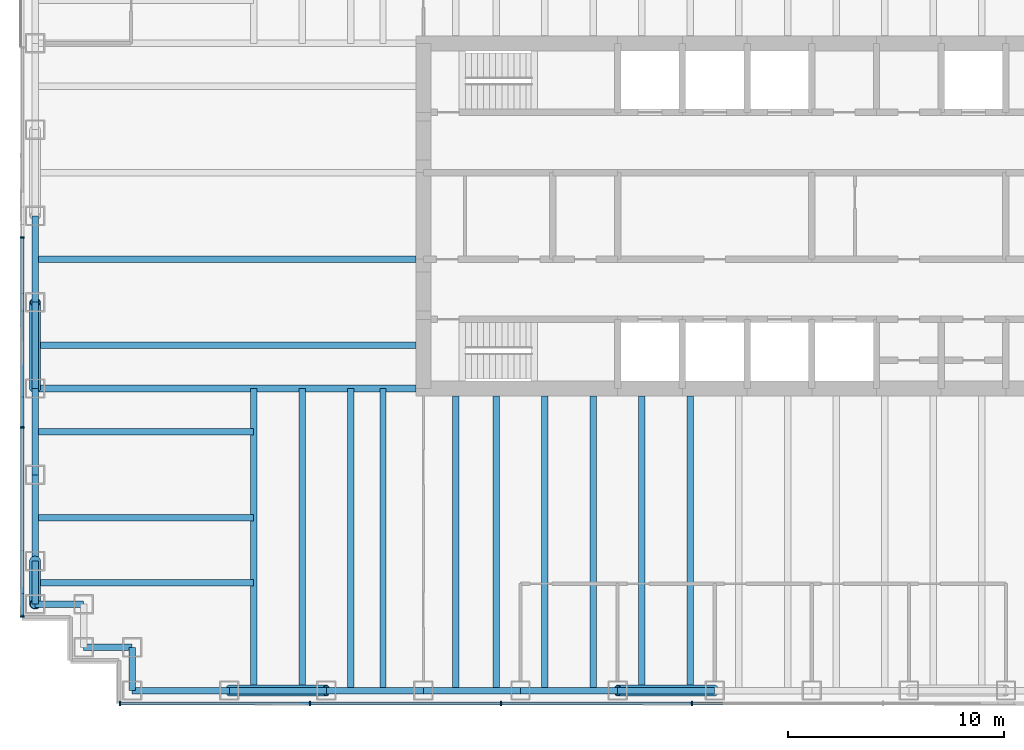
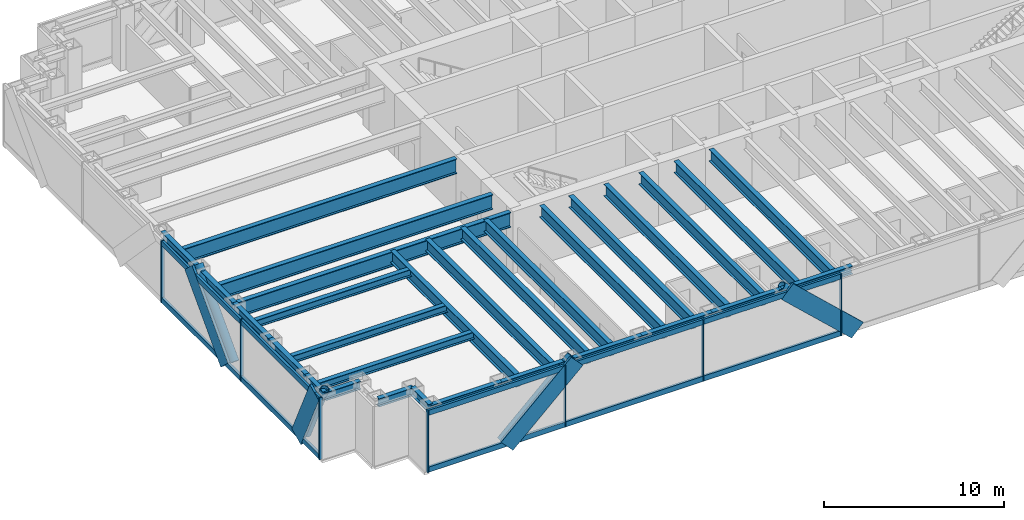
# One storey, part 2 of 15: 30 beams, 25 members, 2 elements without a shape of their own.
"""IFC4 building model written with IfcOpenShell, lengths in metres."""

from ifc_helpers import new_model, si_unit, direction, frame, origin, origin_2d, place, context, subcontext, project, spatial, rectangle, hollow_circle, i_section, extrude, material, material_profile, profile_set, type_object, element, aggregate, save


model = new_model("IFC4")

# Units and contexts
model_context = context("Model", 3, precision=1e-05, world=origin(), true_north=direction((0.0, 1.0)))
body_context = subcontext(model_context, "Body", "Model", "MODEL_VIEW")
ifc_project = project(units=[si_unit("LENGTHUNIT", "METRE"), si_unit("AREAUNIT", "SQUARE_METRE"), si_unit("VOLUMEUNIT", "CUBIC_METRE"), si_unit("PLANEANGLEUNIT", "RADIAN"), si_unit("MASSUNIT", "GRAM", prefix="KILO")], contexts=[model_context])

# Site, building, storey
site_placement = place(None, origin())
site = spatial("IfcSite", under=ifc_project, at=site_placement, CompositionType="ELEMENT")
building_placement = place(site_placement, origin())
building = spatial("IfcBuilding", under=site, at=building_placement, Name="Rheinbord Bourse Tower", CompositionType="ELEMENT")
storey_placement = place(building_placement, frame((0.0, 0.0, 308.89990234375)))
storey = spatial("IfcBuildingStorey", under=building, at=storey_placement, Name="L70", CompositionType="ELEMENT", Elevation=308.89990234375)

# Curtain wall, members
ifc_material_1 = material(Name="Dark glass and black aluminium", Category="aluminium")
curtain_wall_type = type_object("IfcCurtainWallType", Name="CW3 DARK GLASS CURTAIN WALL", PredefinedType="USERDEFINED", material=ifc_material_1)
curtain_wall_1_placement = place(storey_placement, origin())
curtain_wall_1 = element("IfcCurtainWall", 1, at=curtain_wall_1_placement, inside=storey, type_object=curtain_wall_type, Name="Curtain wall CW3 S L70", ObjectType="UNITISED CURTAIN WALL", PredefinedType="USERDEFINED")
ifc_material_2 = material(Name="Black anodised aluminium", Category="aluminium")
ifc_material_profile_1 = material_profile(ifc_material_2, rectangle(XDim=0.14990234375, YDim=1.10791015625, at=origin_2d()), Name="CW3 DIAGONAL MULLION 1108x150")
ifc_profile_set_1 = profile_set([ifc_material_profile_1], Name="Black anodised aluminium")
member_type_1 = type_object("IfcMemberType", Name="CW3 BLACK DIAGONAL MULLION", PredefinedType="USERDEFINED", material=ifc_profile_set_1)
member_1_placement = place(storey_placement, frame((9.0, 1.39990234375, 0.0), z_axis=(0.731039441158, 0.0, 0.682335207557), x_axis=(0.0, 1.0, 0.0)))
member_1 = element("IfcMember", 2, at=member_1_placement, type_object=member_type_1, Name="CW3 diagonal mullion b", ObjectType="DIAGONAL MULLION", PredefinedType="USERDEFINED", context=body_context, shape_type="SweptSolid", body=[
    extrude(rectangle(XDim=0.14990234375, YDim=1.10791015625, at=origin_2d()), origin(), (0.0, 0.0, 1.0), 6.155517578125),
])
member_2_placement = place(storey_placement, frame((31.5, 1.39990234375, 0.0), z_axis=(-0.731039441158, 0.0, 0.682335207557), x_axis=(0.0, -1.0, 0.0)))
member_2 = element("IfcMember", 3, at=member_2_placement, type_object=member_type_1, Name="CW3 diagonal mullion c", ObjectType="DIAGONAL MULLION", PredefinedType="USERDEFINED", context=body_context, shape_type="SweptSolid", body=[
    extrude(rectangle(XDim=0.14990234375, YDim=1.10791015625, at=origin_2d()), origin(), (0.0, 0.0, 1.0), 6.155517578125),
])

curtain_wall_2_placement = place(storey_placement, origin())
curtain_wall_2 = element("IfcCurtainWall", 4, at=curtain_wall_2_placement, inside=storey, type_object=curtain_wall_type, Name="Curtain wall CW3 W L70", ObjectType="UNITISED CURTAIN WALL", PredefinedType="USERDEFINED")
member_3_placement = place(storey_placement, frame((-0.60009765625, 8.0, 0.0), z_axis=(0.0, -0.429917283348, 0.902868279141), x_axis=(1.0, 0.0, 0.0)))
member_3 = element("IfcMember", 5, at=member_3_placement, type_object=member_type_1, Name="CW3 diagonal mullion a", ObjectType="DIAGONAL MULLION", PredefinedType="USERDEFINED", context=body_context, shape_type="SweptSolid", body=[
    extrude(rectangle(XDim=0.14990234375, YDim=1.10791015625, at=origin_2d()), origin(), (0.0, 0.0, 1.0), 4.652099609375),
])
member_4_placement = place(storey_placement, frame((-0.60009765625, 16.0, 0.0), z_axis=(0.0, 0.689638355374, 0.72415394689), x_axis=(-1.0, 0.0, 0.0)))
member_4 = element("IfcMember", 6, at=member_4_placement, type_object=member_type_1, Name="CW3 diagonal mullion c", ObjectType="DIAGONAL MULLION", PredefinedType="USERDEFINED", context=body_context, shape_type="SweptSolid", body=[
    extrude(rectangle(XDim=0.14990234375, YDim=1.10791015625, at=origin_2d()), origin(), (0.0, 0.0, 1.0), 5.800048828125),
])

# Member
ifc_material_3 = material(Name="Black anodised aluminium", Category="aluminium")
ifc_material_profile_2 = material_profile(ifc_material_3, rectangle(XDim=0.199951171875, YDim=0.06494140625, at=origin_2d()), Name="CW3 MULLION 65x200")
ifc_profile_set_2 = profile_set([ifc_material_profile_2], Name="Black anodised aluminium")
member_type_2 = type_object("IfcMemberType", Name="CW3 BLACK MULLION", PredefinedType="MULLION", material=ifc_profile_set_2)
member_5_placement = place(storey_placement, frame((3.9326171875, 1.39990234375, 0.0), z_axis=(0.0, 0.0, 1.0), x_axis=(0.0, 1.0, 0.0)))
member_5 = element("IfcMember", 7, at=member_5_placement, type_object=member_type_2, Name="CW3 mullion 1", PredefinedType="MULLION", context=body_context, shape_type="SweptSolid", body=[
    extrude(rectangle(XDim=0.199951171875, YDim=0.06494140625, at=origin_2d()), origin(), (0.0, 0.0, 1.0), 4.2001953125),
])

member_6_placement = place(storey_placement, frame((12.75, 1.39990234375, 0.0), z_axis=(0.0, 0.0, 1.0), x_axis=(0.0, 1.0, 0.0)))
member_6 = element("IfcMember", 8, at=member_6_placement, type_object=member_type_2, Name="CW3 mullion 2", PredefinedType="MULLION", context=body_context, shape_type="SweptSolid", body=[
    extrude(rectangle(XDim=0.199951171875, YDim=0.06494140625, at=origin_2d()), origin(), (0.0, 0.0, 1.0), 4.2001953125),
])

member_7_placement = place(storey_placement, frame((21.60009765625, 1.39990234375, 0.0), z_axis=(0.0, 0.0, 1.0), x_axis=(0.0, 1.0, 0.0)))
member_7 = element("IfcMember", 9, at=member_7_placement, type_object=member_type_2, Name="CW3 mullion 3", PredefinedType="MULLION", context=body_context, shape_type="SweptSolid", body=[
    extrude(rectangle(XDim=0.199951171875, YDim=0.06494140625, at=origin_2d()), origin(), (0.0, 0.0, 1.0), 4.2001953125),
])

member_8_placement = place(storey_placement, frame((30.449951171875, 1.39990234375, 0.0), z_axis=(0.0, 0.0, 1.0), x_axis=(0.0, 1.0, 0.0)))
member_8 = element("IfcMember", 10, at=member_8_placement, type_object=member_type_2, Name="CW3 mullion 4", PredefinedType="MULLION", context=body_context, shape_type="SweptSolid", body=[
    extrude(rectangle(XDim=0.199951171875, YDim=0.06494140625, at=origin_2d()), origin(), (0.0, 0.0, 1.0), 4.2001953125),
])

member_9_placement = place(storey_placement, frame((-0.60009765625, 23.0, 0.0), z_axis=(0.0, 0.0, 1.0), x_axis=(1.0, 0.0, 0.0)))
member_9 = element("IfcMember", 11, at=member_9_placement, type_object=member_type_2, Name="CW3 mullion 3", PredefinedType="MULLION", context=body_context, shape_type="SweptSolid", body=[
    extrude(rectangle(XDim=0.199951171875, YDim=0.06494140625, at=origin_2d()), origin(), (0.0, 0.0, 1.0), 4.2001953125),
])

member_10_placement = place(storey_placement, frame((-0.60009765625, 14.199951171875, 0.0), z_axis=(0.0, 0.0, 1.0), x_axis=(1.0, 0.0, 0.0)))
member_10 = element("IfcMember", 12, at=member_10_placement, type_object=member_type_2, Name="CW3 mullion 4", PredefinedType="MULLION", context=body_context, shape_type="SweptSolid", body=[
    extrude(rectangle(XDim=0.199951171875, YDim=0.06494140625, at=origin_2d()), origin(), (0.0, 0.0, 1.0), 4.2001953125),
])

member_11_placement = place(storey_placement, frame((-0.60009765625, 5.4326171875, 0.0), z_axis=(0.0, 0.0, 1.0), x_axis=(1.0, 0.0, 0.0)))
member_11 = element("IfcMember", 13, at=member_11_placement, type_object=member_type_2, Name="CW3 mullion 5", PredefinedType="MULLION", context=body_context, shape_type="SweptSolid", body=[
    extrude(rectangle(XDim=0.199951171875, YDim=0.06494140625, at=origin_2d()), origin(), (0.0, 0.0, 1.0), 4.2001953125),
])

ifc_material_4 = material(Name="Black anodised aluminium", Category="aluminium")
ifc_material_profile_3 = material_profile(ifc_material_4, rectangle(XDim=0.14990234375, YDim=0.35009765625, at=origin_2d()), Name="CW3 TRANSOM 350x150")
ifc_profile_set_3 = profile_set([ifc_material_profile_3], Name="Black anodised aluminium")
member_type_3 = type_object("IfcMemberType", Name="CW3 BLACK TRANSOM", PredefinedType="USERDEFINED", material=ifc_profile_set_3)
member_12_placement = place(storey_placement, frame((3.965087890625, 1.39990234375, 0.175048828125), z_axis=(1.0, 0.0, 0.0), x_axis=(0.0, 1.0, 0.0)))
member_12 = element("IfcMember", 14, at=member_12_placement, type_object=member_type_3, Name="CW3 transom 1.1", ObjectType="TRANSOM", PredefinedType="USERDEFINED", context=body_context, shape_type="SweptSolid", body=[
    extrude(rectangle(XDim=0.14990234375, YDim=0.35009765625, at=origin_2d()), origin(), (0.0, 0.0, 1.0), 8.75244140625),
])

member_13_placement = place(storey_placement, frame((3.965087890625, 1.39990234375, 4.025146484375), z_axis=(1.0, 0.0, 0.0), x_axis=(0.0, 1.0, 0.0)))
member_13 = element("IfcMember", 15, at=member_13_placement, type_object=member_type_3, Name="CW3 transom 1.2", ObjectType="TRANSOM", PredefinedType="USERDEFINED", context=body_context, shape_type="SweptSolid", body=[
    extrude(rectangle(XDim=0.14990234375, YDim=0.35009765625, at=origin_2d()), origin(), (0.0, 0.0, 1.0), 8.75244140625),
])

member_14_placement = place(storey_placement, frame((12.782470703125, 1.39990234375, 0.175048828125), z_axis=(1.0, 0.0, 0.0), x_axis=(0.0, 1.0, 0.0)))
member_14 = element("IfcMember", 16, at=member_14_placement, type_object=member_type_3, Name="CW3 transom 2.1", ObjectType="TRANSOM", PredefinedType="USERDEFINED", context=body_context, shape_type="SweptSolid", body=[
    extrude(rectangle(XDim=0.14990234375, YDim=0.35009765625, at=origin_2d()), origin(), (0.0, 0.0, 1.0), 8.784912109375),
])

member_15_placement = place(storey_placement, frame((12.782470703125, 1.39990234375, 4.025146484375), z_axis=(1.0, 0.0, 0.0), x_axis=(0.0, 1.0, 0.0)))
member_15 = element("IfcMember", 17, at=member_15_placement, type_object=member_type_3, Name="CW3 transom 2.2", ObjectType="TRANSOM", PredefinedType="USERDEFINED", context=body_context, shape_type="SweptSolid", body=[
    extrude(rectangle(XDim=0.14990234375, YDim=0.35009765625, at=origin_2d()), origin(), (0.0, 0.0, 1.0), 8.784912109375),
])

member_16_placement = place(storey_placement, frame((21.632568359375, 1.39990234375, 0.175048828125), z_axis=(1.0, 0.0, 0.0), x_axis=(0.0, 1.0, 0.0)))
member_16 = element("IfcMember", 18, at=member_16_placement, type_object=member_type_3, Name="CW3 transom 3.1", ObjectType="TRANSOM", PredefinedType="USERDEFINED", context=body_context, shape_type="SweptSolid", body=[
    extrude(rectangle(XDim=0.14990234375, YDim=0.35009765625, at=origin_2d()), origin(), (0.0, 0.0, 1.0), 8.784912109375),
])

member_17_placement = place(storey_placement, frame((21.632568359375, 1.39990234375, 4.025146484375), z_axis=(1.0, 0.0, 0.0), x_axis=(0.0, 1.0, 0.0)))
member_17 = element("IfcMember", 19, at=member_17_placement, type_object=member_type_3, Name="CW3 transom 3.2", ObjectType="TRANSOM", PredefinedType="USERDEFINED", context=body_context, shape_type="SweptSolid", body=[
    extrude(rectangle(XDim=0.14990234375, YDim=0.35009765625, at=origin_2d()), origin(), (0.0, 0.0, 1.0), 8.784912109375),
])

aggregate(curtain_wall_1, [member_5, member_6, member_7, member_8, member_12, member_13, member_14, member_15, member_16, member_17, member_1, member_2])

member_18_placement = place(storey_placement, frame((-0.60009765625, 22.967529296875, 0.175048828125), z_axis=(0.0, -1.0, 0.0), x_axis=(1.0, 0.0, 0.0)))
member_18 = element("IfcMember", 20, at=member_18_placement, type_object=member_type_3, Name="CW3 transom 3.1", ObjectType="TRANSOM", PredefinedType="USERDEFINED", context=body_context, shape_type="SweptSolid", body=[
    extrude(rectangle(XDim=0.14990234375, YDim=0.35009765625, at=origin_2d()), origin(), (0.0, 0.0, 1.0), 8.735107421875),
])

member_19_placement = place(storey_placement, frame((-0.60009765625, 22.967529296875, 4.025146484375), z_axis=(0.0, -1.0, 0.0), x_axis=(1.0, 0.0, 0.0)))
member_19 = element("IfcMember", 21, at=member_19_placement, type_object=member_type_3, Name="CW3 transom 3.2", ObjectType="TRANSOM", PredefinedType="USERDEFINED", context=body_context, shape_type="SweptSolid", body=[
    extrude(rectangle(XDim=0.14990234375, YDim=0.35009765625, at=origin_2d()), origin(), (0.0, 0.0, 1.0), 8.735107421875),
])

member_20_placement = place(storey_placement, frame((-0.60009765625, 14.16748046875, 0.175048828125), z_axis=(0.0, -1.0, 0.0), x_axis=(1.0, 0.0, 0.0)))
member_20 = element("IfcMember", 22, at=member_20_placement, type_object=member_type_3, Name="CW3 transom 4.1", ObjectType="TRANSOM", PredefinedType="USERDEFINED", context=body_context, shape_type="SweptSolid", body=[
    extrude(rectangle(XDim=0.14990234375, YDim=0.35009765625, at=origin_2d()), origin(), (0.0, 0.0, 1.0), 8.702392578125),
])

member_21_placement = place(storey_placement, frame((-0.60009765625, 14.16748046875, 4.025146484375), z_axis=(0.0, -1.0, 0.0), x_axis=(1.0, 0.0, 0.0)))
member_21 = element("IfcMember", 23, at=member_21_placement, type_object=member_type_3, Name="CW3 transom 4.2", ObjectType="TRANSOM", PredefinedType="USERDEFINED", context=body_context, shape_type="SweptSolid", body=[
    extrude(rectangle(XDim=0.14990234375, YDim=0.35009765625, at=origin_2d()), origin(), (0.0, 0.0, 1.0), 8.702392578125),
])

aggregate(curtain_wall_2, [member_9, member_10, member_11, member_18, member_19, member_20, member_21, member_3, member_4])

# Beams
ifc_material_5 = material(Name="Steel S460", Category="steel")
ifc_material_profile_4 = material_profile(ifc_material_5, i_section(OverallWidth=0.302001953125, OverallDepth=1.008056640625, WebThickness=0.02099609375, FlangeThickness=0.0400390625, at=origin_2d()), Name="HEM 1000")
ifc_profile_set_4 = profile_set([ifc_material_profile_4], Name="Steel S460")
beam_type_1 = type_object("IfcBeamType", Name="END BEAM HEM 1000", PredefinedType="BEAM", material=ifc_profile_set_4)
for number, where, z_axis, x_axis, name in (
    (24, (0.0, 18.0, 3.5361328125), (1.0, 0.0, 0.0), (0.0, 1.0, 0.0), "End beam west 18 L71"),
    (25, (0.0, 22.0, 3.5361328125), (1.0, 0.0, 0.0), (0.0, 1.0, 0.0), "End beam west 22 L71"),
):
    element("IfcBeam", number, at=place(storey_placement, frame(where, z_axis=z_axis, x_axis=x_axis)), inside=storey, type_object=beam_type_1, Name=name, PredefinedType="BEAM", context=body_context, shape_type="SweptSolid", body=[
        extrude(i_section(OverallWidth=0.302001953125, OverallDepth=1.008056640625, WebThickness=0.02099609375, FlangeThickness=0.0400390625, at=origin_2d()), origin(), (0.0, 0.0, 1.0), 17.64990234375),
    ])
ifc_material_6 = material(Name="Steel S460", Category="steel")
ifc_material_profile_5 = material_profile(ifc_material_6, i_section(OverallWidth=0.300048828125, OverallDepth=0.800048828125, WebThickness=0.017578125, FlangeThickness=0.032958984375, at=origin_2d()), Name="HEB 800")
ifc_profile_set_5 = profile_set([ifc_material_profile_5], Name="Steel S460")
beam_type_2 = type_object("IfcBeamType", Name="FLOOR BEAM HEB 800", PredefinedType="BEAM", material=ifc_profile_set_5)
for number, where, z_axis, x_axis, name in (
    (26, (10.125, 2.0, 3.64013671875), (0.0, 1.0, 0.0), (-1.0, 0.0, 0.0), "Floor beam S-9a L71"),
    (27, (12.375, 2.0, 3.64013671875), (0.0, 1.0, 0.0), (-1.0, 0.0, 0.0), "Floor beam S-9b L71"),
    (28, (14.625, 2.0, 3.64013671875), (0.0, 1.0, 0.0), (-1.0, 0.0, 0.0), "Floor beam S-13.5a L71"),
    (29, (16.125, 2.0, 3.64013671875), (0.0, 1.0, 0.0), (-1.0, 0.0, 0.0), "Floor beam S-13.5b L71"),
):
    element("IfcBeam", number, at=place(storey_placement, frame(where, z_axis=z_axis, x_axis=x_axis)), inside=storey, type_object=beam_type_2, Name=name, PredefinedType="BEAM", context=body_context, shape_type="SweptSolid", body=[
        extrude(i_section(OverallWidth=0.300048828125, OverallDepth=0.800048828125, WebThickness=0.017578125, FlangeThickness=0.032958984375, at=origin_2d()), origin(), (0.0, 0.0, 1.0), 14.0),
    ])
for number, where, z_axis, x_axis, name in (
    (30, (19.5, 2.0, 3.64013671875), (0.0, 1.0, 0.0), (-1.0, 0.0, 0.0), "Floor beam S-18a L71"),
    (31, (21.375, 2.0, 3.64013671875), (0.0, 1.0, 0.0), (-1.0, 0.0, 0.0), "Floor beam S-18b L71"),
    (32, (23.625, 2.0, 3.64013671875), (0.0, 1.0, 0.0), (-1.0, 0.0, 0.0), "Floor beam S-22.5a L71"),
    (33, (25.875, 2.0, 3.64013671875), (0.0, 1.0, 0.0), (-1.0, 0.0, 0.0), "Floor beam S-22.5b L71"),
    (34, (28.125, 2.0, 3.64013671875), (0.0, 1.0, 0.0), (-1.0, 0.0, 0.0), "Floor beam S-27a L71"),
    (35, (30.375, 2.0, 3.64013671875), (0.0, 1.0, 0.0), (-1.0, 0.0, 0.0), "Floor beam S-27b L71"),
):
    element("IfcBeam", number, at=place(storey_placement, frame(where, z_axis=z_axis, x_axis=x_axis)), inside=storey, type_object=beam_type_2, Name=name, PredefinedType="BEAM", context=body_context, shape_type="SweptSolid", body=[
        extrude(i_section(OverallWidth=0.300048828125, OverallDepth=0.800048828125, WebThickness=0.017578125, FlangeThickness=0.032958984375, at=origin_2d()), origin(), (0.0, 0.0, 1.0), 13.64990234375),
    ])
ifc_material_7 = material(Name="Steel S460", Category="steel")
ifc_material_profile_6 = material_profile(ifc_material_7, i_section(OverallWidth=0.302001953125, OverallDepth=1.008056640625, WebThickness=0.02099609375, FlangeThickness=0.0400390625, at=origin_2d()), Name="HEM 1000")
ifc_profile_set_6 = profile_set([ifc_material_profile_6], Name="Steel S460")
beam_type_3 = type_object("IfcBeamType", Name="GIRDER HEM 1000", PredefinedType="BEAM", material=ifc_profile_set_6)
beam_1_placement = place(storey_placement, frame((0.0, 16.0, 3.5361328125), z_axis=(1.0, 0.0, 0.0), x_axis=(0.0, 1.0, 0.0)))
element("IfcBeam", 36, at=beam_1_placement, inside=storey, type_object=beam_type_3, Name="Girder west 16 L71", PredefinedType="BEAM", context=body_context, shape_type="SweptSolid", body=[
    extrude(i_section(OverallWidth=0.302001953125, OverallDepth=1.008056640625, WebThickness=0.02099609375, FlangeThickness=0.0400390625, at=origin_2d()), origin(), (0.0, 0.0, 1.0), 17.64990234375),
])

# Members
ifc_material_8 = material(Name="Steel S460", Category="steel")
ifc_material_profile_7 = material_profile(ifc_material_8, hollow_circle(Radius=0.25390625, WallThickness=0.030029296875, at=origin_2d()), Name="CHS 508x30")
ifc_profile_set_7 = profile_set([ifc_material_profile_7], Name="Steel S460")
member_type_4 = type_object("IfcMemberType", Name="MEGABRACE CHS 508x30", PredefinedType="BRACE", material=ifc_profile_set_7)
for number, where, z_axis, x_axis, name in (
    (37, (9.0, 2.0, 0.0), (0.731039441158, 0.0, 0.682335207557), (0.0, 1.0, 0.0), "Megabrace S face line b L70"),
    (38, (31.5, 2.0, 0.0), (-0.731039441158, 0.0, 0.682335207557), (0.0, -1.0, 0.0), "Megabrace S face line c L70"),
):
    element("IfcMember", number, at=place(storey_placement, frame(where, z_axis=z_axis, x_axis=x_axis)), inside=storey, type_object=member_type_4, Name=name, PredefinedType="BRACE", context=body_context, shape_type="SweptSolid", body=[
        extrude(hollow_circle(Radius=0.25390625, WallThickness=0.030029296875, at=origin_2d()), origin(), (0.0, 0.0, 1.0), 6.155517578125),
    ])
member_22_placement = place(storey_placement, frame((0.0, 8.0, 0.0), z_axis=(0.0, -0.429917283348, 0.902868279141), x_axis=(1.0, 0.0, 0.0)))
element("IfcMember", 39, at=member_22_placement, inside=storey, type_object=member_type_4, Name="Megabrace W face line a L70", PredefinedType="BRACE", context=body_context, shape_type="SweptSolid", body=[
    extrude(hollow_circle(Radius=0.25390625, WallThickness=0.030029296875, at=origin_2d()), origin(), (0.0, 0.0, 1.0), 4.652099609375),
])
member_23_placement = place(storey_placement, frame((0.0, 16.0, 0.0), z_axis=(0.0, 0.689638355374, 0.72415394689), x_axis=(-1.0, 0.0, 0.0)))
element("IfcMember", 40, at=member_23_placement, inside=storey, type_object=member_type_4, Name="Megabrace W face line c L70", PredefinedType="BRACE", context=body_context, shape_type="SweptSolid", body=[
    extrude(hollow_circle(Radius=0.25390625, WallThickness=0.030029296875, at=origin_2d()), origin(), (0.0, 0.0, 1.0), 5.800048828125),
])

# Beams
ifc_material_9 = material(Name="Steel S460", Category="steel")
ifc_material_profile_8 = material_profile(ifc_material_9, i_section(OverallWidth=0.300048828125, OverallDepth=0.550048828125, WebThickness=0.014892578125, FlangeThickness=0.029052734375, at=origin_2d()), Name="HEB 550")
ifc_profile_set_8 = profile_set([ifc_material_profile_8], Name="Steel S460")
beam_type_4 = type_object("IfcBeamType", Name="SPANDREL HEB 550", PredefinedType="SPANDREL", material=ifc_profile_set_8)
for number, where, z_axis, x_axis, name in (
    (41, (4.5, 2.0, 3.76513671875), (1.0, 0.0, 0.0), (0.0, 1.0, 0.0), "Spandrel SW-E-S-9 under L71"),
    (42, (9.0, 2.0, 3.76513671875), (1.0, 0.0, 0.0), (0.0, 1.0, 0.0), "Spandrel S-9-S-13.5 under L71"),
    (43, (13.5, 2.0, 3.76513671875), (1.0, 0.0, 0.0), (0.0, 1.0, 0.0), "Spandrel S-13.5-S-18 under L71"),
    (44, (18.0, 2.0, 3.76513671875), (1.0, 0.0, 0.0), (0.0, 1.0, 0.0), "Spandrel S-18-S-22.5 under L71"),
    (45, (22.5, 2.0, 3.76513671875), (1.0, 0.0, 0.0), (0.0, 1.0, 0.0), "Spandrel S-22.5-S-27 under L71"),
    (46, (27.0, 2.0, 3.76513671875), (1.0, 0.0, 0.0), (0.0, 1.0, 0.0), "Spandrel S-27-S-31.5 under L71"),
):
    element("IfcBeam", number, at=place(storey_placement, frame(where, z_axis=z_axis, x_axis=x_axis)), inside=storey, type_object=beam_type_4, Name=name, PredefinedType="SPANDREL", context=body_context, shape_type="SweptSolid", body=[
        extrude(i_section(OverallWidth=0.300048828125, OverallDepth=0.550048828125, WebThickness=0.014892578125, FlangeThickness=0.029052734375, at=origin_2d()), origin(), (0.0, 0.0, 1.0), 4.5),
    ])
for number, where, z_axis, x_axis, name in (
    (47, (0.0, 24.0, 3.76513671875), (0.0, -1.0, 0.0), (1.0, 0.0, 0.0), "Spandrel W-24-W-20 under L71"),
    (48, (0.0, 20.0, 3.76513671875), (0.0, -1.0, 0.0), (1.0, 0.0, 0.0), "Spandrel W-20-W-16 under L71"),
    (49, (0.0, 16.0, 3.76513671875), (0.0, -1.0, 0.0), (1.0, 0.0, 0.0), "Spandrel W-16-W-12 under L71"),
    (50, (0.0, 12.0, 3.76513671875), (0.0, -1.0, 0.0), (1.0, 0.0, 0.0), "Spandrel W-12-W-8 under L71"),
):
    element("IfcBeam", number, at=place(storey_placement, frame(where, z_axis=z_axis, x_axis=x_axis)), inside=storey, type_object=beam_type_4, Name=name, PredefinedType="SPANDREL", context=body_context, shape_type="SweptSolid", body=[
        extrude(i_section(OverallWidth=0.300048828125, OverallDepth=0.550048828125, WebThickness=0.014892578125, FlangeThickness=0.029052734375, at=origin_2d()), origin(), (0.0, 0.0, 1.0), 4.0),
    ])
beam_2_placement = place(storey_placement, frame((0.0, 8.0, 3.76513671875), z_axis=(0.0, -1.0, 0.0), x_axis=(1.0, 0.0, 0.0)))
element("IfcBeam", 51, at=beam_2_placement, inside=storey, type_object=beam_type_4, Name="Spandrel W-8-SW-A under L71", PredefinedType="SPANDREL", context=body_context, shape_type="SweptSolid", body=[
    extrude(i_section(OverallWidth=0.300048828125, OverallDepth=0.550048828125, WebThickness=0.014892578125, FlangeThickness=0.029052734375, at=origin_2d()), origin(), (0.0, 0.0, 1.0), 2.0),
])
for number, where, z_axis, x_axis, name in (
    (52, (0.0, 6.0, 3.76513671875), (1.0, 0.0, 0.0), (0.0, 1.0, 0.0), "Spandrel SW-A-SW-B under L71"),
    (53, (2.25, 4.0, 3.76513671875), (1.0, 0.0, 0.0), (0.0, 1.0, 0.0), "Spandrel SW-C-SW-D under L71"),
):
    element("IfcBeam", number, at=place(storey_placement, frame(where, z_axis=z_axis, x_axis=x_axis)), inside=storey, type_object=beam_type_4, Name=name, PredefinedType="SPANDREL", context=body_context, shape_type="SweptSolid", body=[
        extrude(i_section(OverallWidth=0.300048828125, OverallDepth=0.550048828125, WebThickness=0.014892578125, FlangeThickness=0.029052734375, at=origin_2d()), origin(), (0.0, 0.0, 1.0), 2.25),
    ])
beam_3_placement = place(storey_placement, frame((4.5, 4.0, 3.76513671875), z_axis=(0.0, -1.0, 0.0), x_axis=(1.0, 0.0, 0.0)))
element("IfcBeam", 54, at=beam_3_placement, inside=storey, type_object=beam_type_4, Name="Spandrel SW-D-SW-E under L71", PredefinedType="SPANDREL", context=body_context, shape_type="SweptSolid", body=[
    extrude(i_section(OverallWidth=0.300048828125, OverallDepth=0.550048828125, WebThickness=0.014892578125, FlangeThickness=0.029052734375, at=origin_2d()), origin(), (0.0, 0.0, 1.0), 2.0),
])
ifc_material_10 = material(Name="Steel S460", Category="steel")
ifc_material_profile_9 = material_profile(ifc_material_10, i_section(OverallWidth=0.300048828125, OverallDepth=0.5, WebThickness=0.014404296875, FlangeThickness=0.028076171875, at=origin_2d()), Name="HEB 500")
ifc_profile_set_9 = profile_set([ifc_material_profile_9], Name="Steel S460")
beam_type_5 = type_object("IfcBeamType", Name="TIE BEAM HEB 500", PredefinedType="JOIST", material=ifc_profile_set_9)
for number, where, z_axis, x_axis, name in (
    (55, (0.0, 7.0, 3.7900390625), (1.0, 0.0, 0.0), (0.0, 1.0, 0.0), "Tie west 7 L71"),
    (56, (0.0, 10.0, 3.7900390625), (1.0, 0.0, 0.0), (0.0, 1.0, 0.0), "Tie west 10 L71"),
    (57, (0.0, 14.0, 3.7900390625), (1.0, 0.0, 0.0), (0.0, 1.0, 0.0), "Tie west 14 L71"),
):
    element("IfcBeam", number, at=place(storey_placement, frame(where, z_axis=z_axis, x_axis=x_axis)), inside=storey, type_object=beam_type_5, Name=name, PredefinedType="JOIST", context=body_context, shape_type="SweptSolid", body=[
        extrude(i_section(OverallWidth=0.300048828125, OverallDepth=0.5, WebThickness=0.014404296875, FlangeThickness=0.028076171875, at=origin_2d()), origin(), (0.0, 0.0, 1.0), 10.125),
    ])

save(model, "model.ifc")
